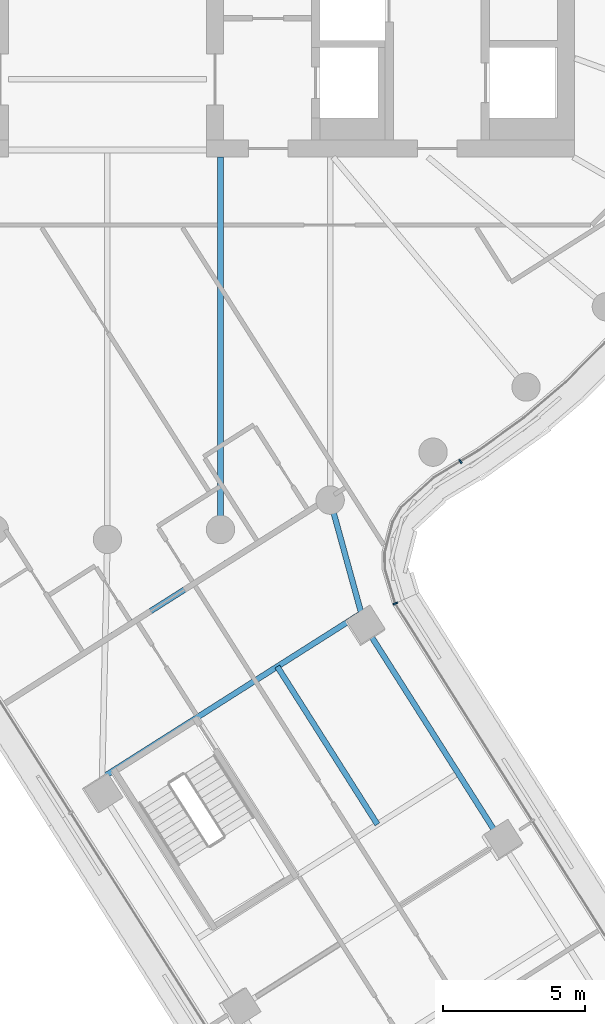
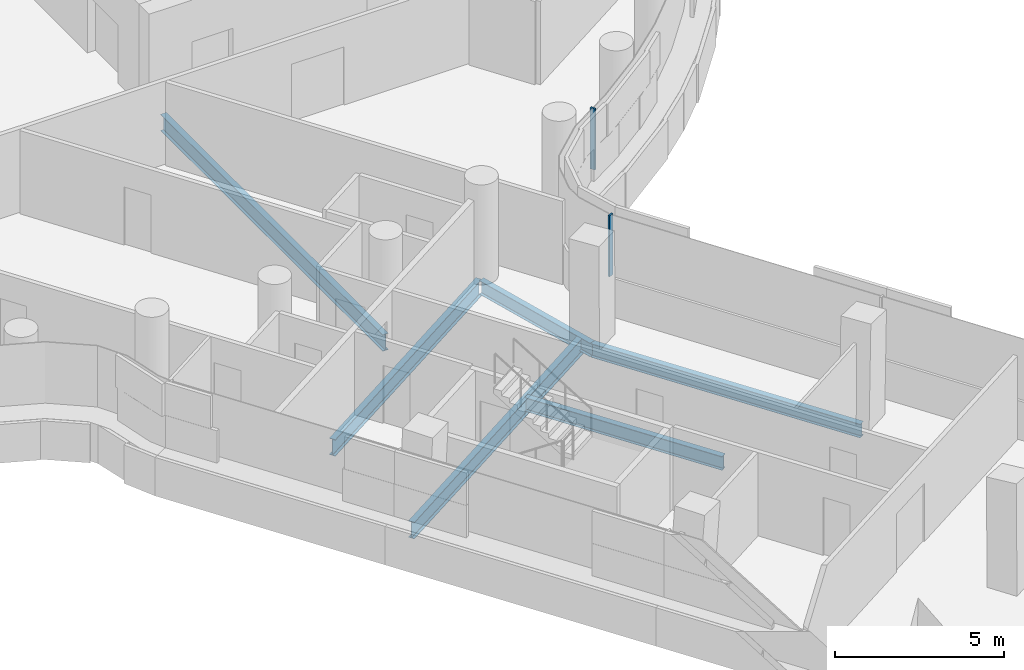
# One storey, part 7 of 36: 6 beams, 2 members, 1 element without a shape of its own.
"""IFC4 building model written with IfcOpenShell, lengths in metres."""

from ifc_helpers import new_model, si_unit, direction, frame, origin, origin_2d, place, context, subcontext, project, spatial, rectangle, i_section, extrude, material, layer, layer_set, material_profile, profile_set, type_object, element, aggregate, save


model = new_model("IFC4")

# Units and contexts
model_context = context("Model", 3, precision=1e-05, world=origin(), true_north=direction((0.0, 1.0)))
body_context = subcontext(model_context, "Body", "Model", "MODEL_VIEW")
ifc_project = project(units=[si_unit("LENGTHUNIT", "METRE"), si_unit("AREAUNIT", "SQUARE_METRE"), si_unit("VOLUMEUNIT", "CUBIC_METRE"), si_unit("PLANEANGLEUNIT", "RADIAN"), si_unit("MASSUNIT", "GRAM", prefix="KILO")], contexts=[model_context])

# Site, building, storey
site_placement = place(None, origin())
site = spatial("IfcSite", under=ifc_project, at=site_placement, CompositionType="ELEMENT")
building_placement = place(site_placement, origin())
building = spatial("IfcBuilding", under=site, at=building_placement, Name="Tamarind Cross Interchange Tower", CompositionType="ELEMENT")
storey_placement = place(building_placement, frame((0.0, 0.0, 151.75)))
storey = spatial("IfcBuildingStorey", under=building, at=storey_placement, Name="L37", CompositionType="ELEMENT", Elevation=151.75)

# Beams
ifc_material_1 = material(Name="Steel Q355B", Category="steel")
ifc_material_profile_1 = material_profile(ifc_material_1, i_section(OverallWidth=0.198974609375, OverallDepth=0.49609375, WebThickness=0.009033203125, FlangeThickness=0.013916015625, FilletRadius=0.012939453125, at=origin_2d()), Name="HN 496x199x9x14")
ifc_profile_set_1 = profile_set([ifc_material_profile_1], Name="Steel Q355B")
beam_type_1 = type_object("IfcBeamType", Name="Composite beam HN 496x199x9x14 Q355B", PredefinedType="BEAM", material=ifc_profile_set_1)
beam_1_placement = place(storey_placement, frame((13.911376953125, -33.66259765625, -0.387939453125), z_axis=(-0.535670839278, 0.844426877798, 0.0), x_axis=(-0.844426877798, -0.535670839278, 0.0)))
element("IfcBeam", 1, at=beam_1_placement, inside=storey, type_object=beam_type_1, Name="Beam S-edgeep3", PredefinedType="BEAM", context=body_context, shape_type="SweptSolid", body=[
    extrude(i_section(OverallWidth=0.198974609375, OverallDepth=0.49609375, WebThickness=0.009033203125, FlangeThickness=0.013916015625, FilletRadius=0.012939453125, at=origin_2d()), origin(), (0.0, 0.0, 1.0), 9.0),
])
beam_2_placement = place(storey_placement, frame((9.09033203125, -26.062744140625, -0.387939453125), z_axis=(-0.265198288043, 0.964193895448, 0.0), x_axis=(-0.964193895448, -0.265198288043, 0.0)))
element("IfcBeam", 2, at=beam_2_placement, inside=storey, type_object=beam_type_1, Name="Beam S-linkep", PredefinedType="BEAM", context=body_context, shape_type="SweptSolid", body=[
    extrude(i_section(OverallWidth=0.198974609375, OverallDepth=0.49609375, WebThickness=0.009033203125, FlangeThickness=0.013916015625, FilletRadius=0.012939453125, at=origin_2d()), origin(), (0.0, 0.0, 1.0), 4.614990234375),
])
beam_3_placement = place(storey_placement, frame((5.999267578125, -27.490478515625, -0.387939453125), z_axis=(0.535666206895, -0.84442981638, 0.0), x_axis=(0.84442981638, 0.535666206895, 0.0)))
element("IfcBeam", 3, at=beam_3_placement, inside=storey, type_object=beam_type_1, Name="Beam S-stripp", PredefinedType="BEAM", context=body_context, shape_type="SweptSolid", body=[
    extrude(i_section(OverallWidth=0.198974609375, OverallDepth=0.49609375, WebThickness=0.009033203125, FlangeThickness=0.013916015625, FilletRadius=0.012939453125, at=origin_2d()), origin(), (0.0, 0.0, 1.0), 6.60009765625),
])
ifc_material_profile_2 = material_profile(ifc_material_1, i_section(OverallWidth=0.198974609375, OverallDepth=0.595947265625, WebThickness=0.010009765625, FlangeThickness=0.014892578125, FilletRadius=0.012939453125, at=origin_2d()), Name="HN 596x199x10x15")
ifc_profile_set_2 = profile_set([ifc_material_profile_2], Name="Steel Q355B")
beam_type_2 = type_object("IfcBeamType", Name="Composite beam HN 596x199x10x15 Q355B", PredefinedType="BEAM", material=ifc_profile_set_2)
beam_4_placement = place(storey_placement, frame((3.993896484375, -22.650634765625, -0.43798828125), z_axis=(0.0, 1.0, 0.0), x_axis=(-1.0, 0.0, 0.0)))
element("IfcBeam", 4, at=beam_4_placement, inside=storey, type_object=beam_type_2, Name="Beam HH28", PredefinedType="BEAM", context=body_context, shape_type="SweptSolid", body=[
    extrude(i_section(OverallWidth=0.198974609375, OverallDepth=0.595947265625, WebThickness=0.010009765625, FlangeThickness=0.014892578125, FilletRadius=0.012939453125, at=origin_2d()), origin(), (0.0, 0.0, 1.0), 13.150634765625),
])
ifc_material_profile_3 = material_profile(ifc_material_1, i_section(OverallWidth=0.199951171875, OverallDepth=0.60009765625, WebThickness=0.010986328125, FlangeThickness=0.01708984375, FilletRadius=0.012939453125, at=origin_2d()), Name="HN 600x200x11x17")
ifc_profile_set_3 = profile_set([ifc_material_profile_3], Name="Steel Q355B")
beam_type_3 = type_object("IfcBeamType", Name="Composite beam HN 600x200x11x17 Q355B", PredefinedType="BEAM", material=ifc_profile_set_3)
beam_5_placement = place(storey_placement, frame((-0.1865234375, -31.41455078125, -0.43994140625), z_axis=(0.844429551696, 0.535666624145, 0.0), x_axis=(-0.535666624145, 0.844429551696, 0.0)))
element("IfcBeam", 5, at=beam_5_placement, inside=storey, type_object=beam_type_3, Name="Beam S-x298", PredefinedType="BEAM", context=body_context, shape_type="SweptSolid", body=[
    extrude(i_section(OverallWidth=0.199951171875, OverallDepth=0.60009765625, WebThickness=0.010986328125, FlangeThickness=0.01708984375, FilletRadius=0.012939453125, at=origin_2d()), origin(), (0.0, 0.0, 1.0), 10.838134765625),
])
beam_6_placement = place(storey_placement, frame((-0.07861328125, -26.550048828125, -0.43994140625), z_axis=(0.844424783053, 0.535674141401, 0.0), x_axis=(-0.535674141401, 0.844424783053, 0.0)))
element("IfcBeam", 6, at=beam_6_placement, inside=storey, type_object=beam_type_3, Name="Beam S-x258", PredefinedType="BEAM", context=body_context, shape_type="SweptSolid", body=[
    extrude(i_section(OverallWidth=0.199951171875, OverallDepth=0.60009765625, WebThickness=0.010986328125, FlangeThickness=0.01708984375, FilletRadius=0.012939453125, at=origin_2d()), origin(), (0.0, 0.0, 1.0), 9.353515625),
])

# Curtain wall, members
ifc_material_2 = material(Name="Aluminium 6063-T6", Category="aluminium")
ifc_layer = layer(ifc_material_2, 0.159912109375)
ifc_layer_set = layer_set([ifc_layer], Name="Aluminium 6063-T6")
curtain_wall_type = type_object("IfcCurtainWallType", Name="Office curtain wall, 9.0 m bays", PredefinedType="NOTDEFINED", material=ifc_layer_set)
curtain_wall_placement = place(storey_placement, origin())
curtain_wall = element("IfcCurtainWall", 7, at=curtain_wall_placement, inside=storey, type_object=curtain_wall_type, Name="CWS-L37-10", PredefinedType="NOTDEFINED")
ifc_material_profile_4 = material_profile(ifc_material_2, rectangle(XDim=0.06005859375, YDim=0.159912109375, at=origin_2d()), Name="Mullion CW1")
ifc_profile_set_4 = profile_set([ifc_material_profile_4], Name="Aluminium 6063-T6")
member_type = type_object("IfcMemberType", Name="Mullion CW1", PredefinedType="MULLION", material=ifc_profile_set_4)
member_1_placement = place(storey_placement, frame((10.16650390625, -25.26318359375, 1.39990234375), z_axis=(0.0, 0.0, 1.0), x_axis=(-0.414657809524, 0.909977417852, 0.0)))
member_1 = element("IfcMember", 8, at=member_1_placement, type_object=member_type, Name="CWM-L37-10-00", PredefinedType="MULLION", context=body_context, shape_type="SweptSolid", body=[
    extrude(rectangle(XDim=0.06005859375, YDim=0.159912109375, at=origin_2d()), origin(), (0.0, 0.0, 1.0), 2.210205078125),
])
member_2_placement = place(storey_placement, frame((12.466796875, -20.24658203125, 1.39990234375), z_axis=(0.0, 0.0, 1.0), x_axis=(0.856648360472, 0.515900752568, 0.0)))
member_2 = element("IfcMember", 9, at=member_2_placement, type_object=member_type, Name="CWM-L37-10-01", PredefinedType="MULLION", context=body_context, shape_type="SweptSolid", body=[
    extrude(rectangle(XDim=0.06005859375, YDim=0.159912109375, at=origin_2d()), origin(), (0.0, 0.0, 1.0), 2.210205078125),
])
aggregate(curtain_wall, [member_1, member_2])

save(model, "model.ifc")
